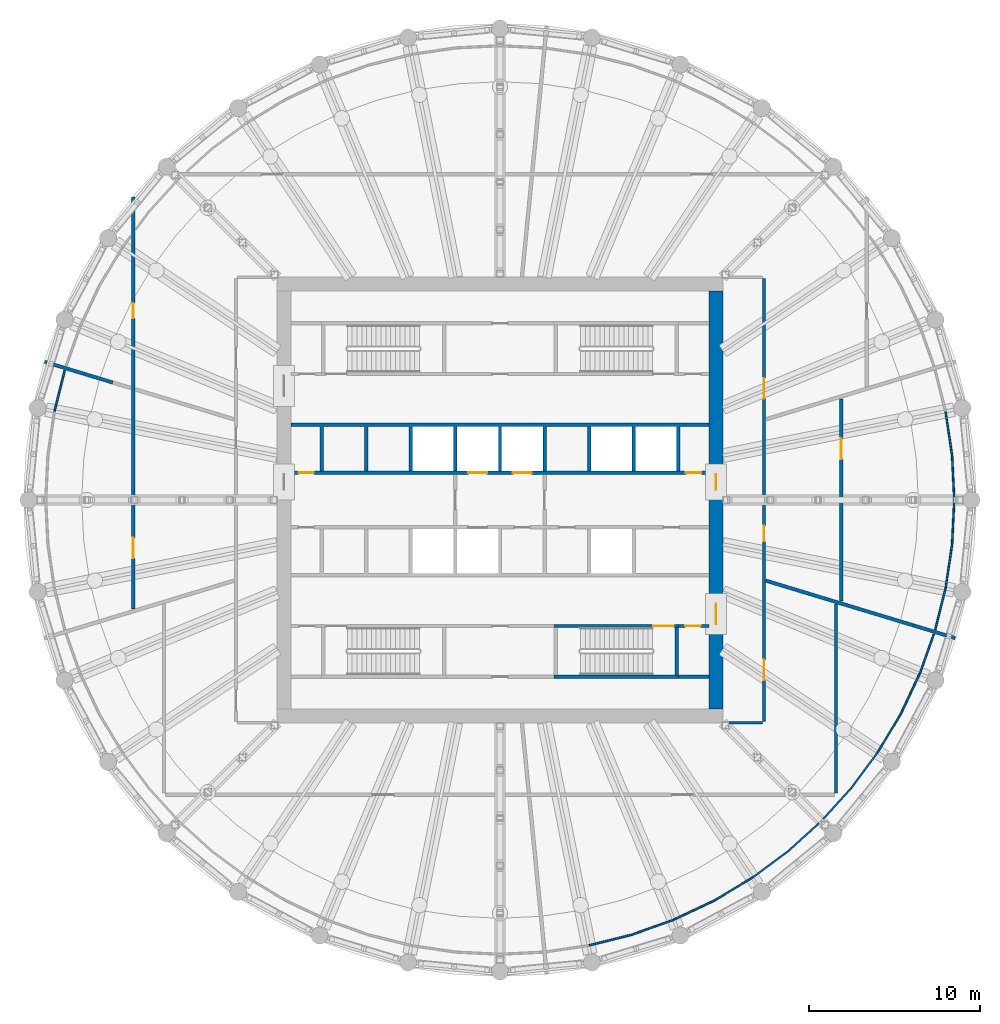
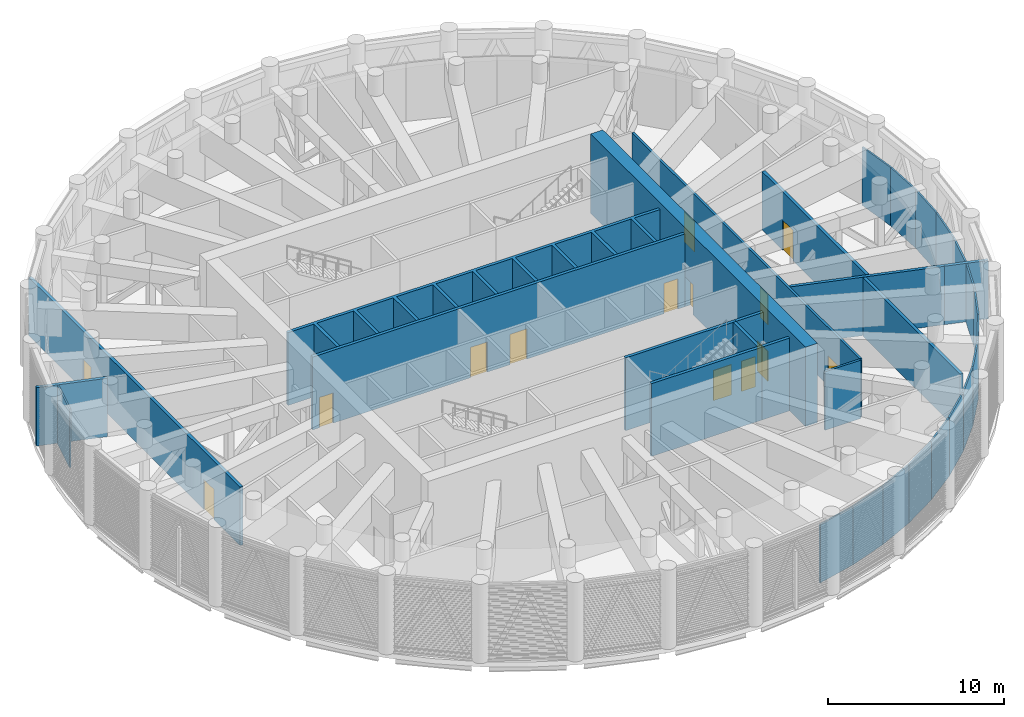
# One storey, part 10 of 24: 33 walls, 14 doors, 14 openings.
"""IFC4 building model written with IfcOpenShell, lengths in metres."""

from ifc_helpers import new_model, si_unit, direction, frame, frame_2d, origin, place, context, subcontext, project, spatial, polyline, rectangle, outline, extrude, material, layer, layer_set, type_object, element, fill, save


model = new_model("IFC4")

# Units and contexts
model_context = context("Model", 3, precision=1e-05, world=origin(), true_north=direction((0.0, 1.0)))
body_context = subcontext(model_context, "Body", "Model", "MODEL_VIEW")
ifc_project = project(units=[si_unit("LENGTHUNIT", "METRE"), si_unit("AREAUNIT", "SQUARE_METRE"), si_unit("VOLUMEUNIT", "CUBIC_METRE"), si_unit("PLANEANGLEUNIT", "RADIAN"), si_unit("MASSUNIT", "GRAM", prefix="KILO")], contexts=[model_context])

# Site, building, storey
site_placement = place(None, origin())
site = spatial("IfcSite", under=ifc_project, at=site_placement, CompositionType="ELEMENT")
building_placement = place(site_placement, origin())
building = spatial("IfcBuilding", under=site, at=building_placement, Name="Corvane Civic Tower", CompositionType="ELEMENT")
storey_placement = place(building_placement, frame((0.0, 0.0, 257.5)))
storey = spatial("IfcBuildingStorey", under=building, at=storey_placement, Name="L61", CompositionType="ELEMENT", Elevation=257.5)

# Wall, openings, doors
ifc_material_1 = material(Name="Concrete C50/60", Category="concrete")
ifc_layer_1 = layer(ifc_material_1, 0.800048828125)
ifc_layer_set_1 = layer_set([ifc_layer_1], Name="Concrete C50/60")
wall_type_1 = type_object("IfcWallType", Name="CORE WALL 800 C50/60", PredefinedType="SHEAR", material=ifc_layer_set_1)
wall_1_placement = place(storey_placement, frame((12.60009765625, -12.199951171875, 0.0), z_axis=(0.0, 0.0, 1.0), x_axis=(0.0, 1.0, 0.0)))
wall_1 = element("IfcWall", 1, at=wall_1_placement, inside=storey, type_object=wall_type_1, Name="W-L61-core-E", PredefinedType="SHEAR", context=body_context, shape_type="SweptSolid", body=[
    extrude(rectangle(XDim=24.39990234375, YDim=0.800048828125, at=frame_2d((12.199951171875, 0.0))), origin(), (0.0, 0.0, 1.0), 5.5),
])
opening_1_placement = place(wall_1_placement, frame((12.800048828125, 0.0, 0.0)))
opening_1 = element("IfcOpeningElement", 2, at=opening_1_placement, cuts=wall_1, Name="Opening L61.C22", PredefinedType="OPENING", context=body_context, shape_type="SweptSolid", body=[
    extrude(rectangle(XDim=0.89990234375, YDim=2.10009765625, at=frame_2d((0.449951171875, 1.050048828125))), frame((0.0, 0.409912109375, 0.0), z_axis=(0.0, -1.0, 0.0), x_axis=(1.0, 0.0, 0.0)), (0.0, 0.0, 1.0), 0.820068359375),
])
opening_2_placement = place(wall_1_placement, frame((4.949951171875, 0.0, 0.0)))
opening_2 = element("IfcOpeningElement", 3, at=opening_2_placement, cuts=wall_1, Name="Opening L61.C24", PredefinedType="OPENING", context=body_context, shape_type="SweptSolid", body=[
    extrude(rectangle(XDim=1.199951171875, YDim=2.10009765625, at=frame_2d((0.60009765625, 1.050048828125))), frame((0.0, 0.409912109375, 0.0), z_axis=(0.0, -1.0, 0.0), x_axis=(1.0, 0.0, 0.0)), (0.0, 0.0, 1.0), 0.820068359375),
])
ifc_material_2 = material(Name="Steel fire door leaf", Category="steel")
door_type_1 = type_object("IfcDoorType", Name="CR-DOOR-900", OperationType="SINGLE_SWING_LEFT", PredefinedType="DOOR", material=ifc_material_2)
door_1_placement = place(opening_1_placement, origin())
door_1 = element("IfcDoor", 4, at=door_1_placement, inside=storey, type_object=door_type_1, Name="L61 door", OperationType="SINGLE_SWING_LEFT", OverallHeight=2.10009765625, OverallWidth=0.89990234375, PredefinedType="DOOR", context=body_context, shape_type="SweptSolid", body=[
    extrude(rectangle(XDim=0.89990234375, YDim=2.10009765625, at=frame_2d((0.449951171875, 1.050048828125))), frame((0.0, 0.02490234375, 0.0), z_axis=(0.0, -1.0, 0.0), x_axis=(1.0, 0.0, 0.0)), (0.0, 0.0, 1.0), 0.050048828125),
])
fill(opening_1, door_1)
ifc_material_3 = material(Name="Steel fire door leaf", Category="steel")
door_type_2 = type_object("IfcDoorType", Name="CR-DOOR-CORE-1800", OperationType="DOUBLE_DOOR_SINGLE_SWING", PredefinedType="DOOR", material=ifc_material_3)
door_2_placement = place(opening_2_placement, origin())
door_2 = element("IfcDoor", 5, at=door_2_placement, inside=storey, type_object=door_type_2, Name="L61 door", OperationType="DOUBLE_DOOR_SINGLE_SWING", OverallHeight=2.10009765625, OverallWidth=1.199951171875, PredefinedType="DOOR", context=body_context, shape_type="SweptSolid", body=[
    extrude(rectangle(XDim=1.199951171875, YDim=2.10009765625, at=frame_2d((0.60009765625, 1.050048828125))), frame((0.0, 0.02490234375, 0.0), z_axis=(0.0, -1.0, 0.0), x_axis=(1.0, 0.0, 0.0)), (0.0, 0.0, 1.0), 0.050048828125),
])
fill(opening_2, door_2)

# Wall, opening, door
ifc_material_4 = material(Name="Concrete C30/37", Category="concrete")
ifc_layer_2 = layer(ifc_material_4, 0.199951171875)
ifc_layer_set_2 = layer_set([ifc_layer_2], Name="Concrete C30/37")
wall_type_2 = type_object("IfcWallType", Name="CR-WALL-200", PredefinedType="PARTITIONING", material=ifc_layer_set_2)
wall_2_placement = place(storey_placement, frame((10.39990234375, -7.35009765625, 0.0), z_axis=(0.0, 0.0, 1.0), x_axis=(1.0, 0.0, 0.0)))
wall_2 = element("IfcWall", 6, at=wall_2_placement, inside=storey, type_object=wall_type_2, Name="L61 core partition wall", PredefinedType="PARTITIONING", context=body_context, shape_type="SweptSolid", body=[
    extrude(rectangle(XDim=1.800048828125, YDim=0.199951171875, at=frame_2d((0.89990234375, 0.0))), origin(), (0.0, 0.0, 1.0), 5.050048828125),
])
opening_3_placement = place(wall_2_placement, frame((0.39990234375, 0.0, 0.0)))
opening_3 = element("IfcOpeningElement", 7, at=opening_3_placement, cuts=wall_2, Name="Opening L61.C14", PredefinedType="OPENING", context=body_context, shape_type="SweptSolid", body=[
    extrude(rectangle(XDim=0.89990234375, YDim=2.10009765625, at=frame_2d((0.449951171875, 1.050048828125))), frame((0.0, 0.10986328125, 0.0), z_axis=(0.0, -1.0, 0.0), x_axis=(1.0, 0.0, 0.0)), (0.0, 0.0, 1.0), 0.219970703125),
])
door_3_placement = place(opening_3_placement, origin())
door_3 = element("IfcDoor", 8, at=door_3_placement, inside=storey, type_object=door_type_1, Name="L61 door", OperationType="SINGLE_SWING_LEFT", OverallHeight=2.10009765625, OverallWidth=0.89990234375, PredefinedType="DOOR", context=body_context, shape_type="SweptSolid", body=[
    extrude(rectangle(XDim=0.89990234375, YDim=2.10009765625, at=frame_2d((0.449951171875, 1.050048828125))), frame((0.0, 0.02490234375, 0.0), z_axis=(0.0, -1.0, 0.0), x_axis=(1.0, 0.0, 0.0)), (0.0, 0.0, 1.0), 0.050048828125),
])
fill(opening_3, door_3)

# Wall, openings, doors
wall_3_placement = place(storey_placement, frame((-12.199951171875, 1.60009765625, 0.0), z_axis=(0.0, 0.0, 1.0), x_axis=(1.0, 0.0, 0.0)))
wall_3 = element("IfcWall", 9, at=wall_3_placement, inside=storey, type_object=wall_type_2, Name="L61 lift shaft wall", PredefinedType="PARTITIONING", context=body_context, shape_type="SweptSolid", body=[
    extrude(rectangle(XDim=24.39990234375, YDim=0.199951171875, at=frame_2d((12.199951171875, 0.0))), origin(), (0.0, 0.0, 1.0), 5.050048828125),
])
opening_4_placement = place(wall_3_placement, frame((10.35009765625, 0.0, 0.0)))
opening_4 = element("IfcOpeningElement", 10, at=opening_4_placement, cuts=wall_3, Name="Opening LD", PredefinedType="OPENING", context=body_context, shape_type="SweptSolid", body=[
    extrude(rectangle(XDim=1.10009765625, YDim=2.10009765625, at=frame_2d((0.550048828125, 1.050048828125))), frame((0.0, 0.10986328125, 0.0), z_axis=(0.0, -1.0, 0.0), x_axis=(1.0, 0.0, 0.0)), (0.0, 0.0, 1.0), 0.219970703125),
])
opening_5_placement = place(wall_3_placement, frame((12.949951171875, 0.0, 0.0)))
opening_5 = element("IfcOpeningElement", 11, at=opening_5_placement, cuts=wall_3, Name="Opening LD", PredefinedType="OPENING", context=body_context, shape_type="SweptSolid", body=[
    extrude(rectangle(XDim=1.10009765625, YDim=2.10009765625, at=frame_2d((0.550048828125, 1.050048828125))), frame((0.0, 0.10986328125, 0.0), z_axis=(0.0, -1.0, 0.0), x_axis=(1.0, 0.0, 0.0)), (0.0, 0.0, 1.0), 0.219970703125),
])
opening_6_placement = place(wall_3_placement, frame((0.449951171875, 0.0, 0.0)))
opening_6 = element("IfcOpeningElement", 12, at=opening_6_placement, cuts=wall_3, Name="Opening L61.C01", PredefinedType="OPENING", context=body_context, shape_type="SweptSolid", body=[
    extrude(rectangle(XDim=0.89990234375, YDim=2.10009765625, at=frame_2d((0.449951171875, 1.050048828125))), frame((0.0, 0.10986328125, 0.0), z_axis=(0.0, -1.0, 0.0), x_axis=(1.0, 0.0, 0.0)), (0.0, 0.0, 1.0), 0.219970703125),
])
opening_7_placement = place(wall_3_placement, frame((23.050048828125, 0.0, 0.0)))
opening_7 = element("IfcOpeningElement", 13, at=opening_7_placement, cuts=wall_3, Name="Opening L61.C02", PredefinedType="OPENING", context=body_context, shape_type="SweptSolid", body=[
    extrude(rectangle(XDim=0.89990234375, YDim=2.10009765625, at=frame_2d((0.449951171875, 1.050048828125))), frame((0.0, 0.10986328125, 0.0), z_axis=(0.0, -1.0, 0.0), x_axis=(1.0, 0.0, 0.0)), (0.0, 0.0, 1.0), 0.219970703125),
])
door_4_placement = place(opening_6_placement, origin())
door_4 = element("IfcDoor", 14, at=door_4_placement, inside=storey, type_object=door_type_1, Name="L61 door", OperationType="SINGLE_SWING_LEFT", OverallHeight=2.10009765625, OverallWidth=0.89990234375, PredefinedType="DOOR", context=body_context, shape_type="SweptSolid", body=[
    extrude(rectangle(XDim=0.89990234375, YDim=2.10009765625, at=frame_2d((0.449951171875, 1.050048828125))), frame((0.0, 0.02490234375, 0.0), z_axis=(0.0, -1.0, 0.0), x_axis=(1.0, 0.0, 0.0)), (0.0, 0.0, 1.0), 0.050048828125),
])
fill(opening_6, door_4)
door_5_placement = place(opening_7_placement, origin())
door_5 = element("IfcDoor", 15, at=door_5_placement, inside=storey, type_object=door_type_1, Name="L61 door", OperationType="SINGLE_SWING_LEFT", OverallHeight=2.10009765625, OverallWidth=0.89990234375, PredefinedType="DOOR", context=body_context, shape_type="SweptSolid", body=[
    extrude(rectangle(XDim=0.89990234375, YDim=2.10009765625, at=frame_2d((0.449951171875, 1.050048828125))), frame((0.0, 0.02490234375, 0.0), z_axis=(0.0, -1.0, 0.0), x_axis=(1.0, 0.0, 0.0)), (0.0, 0.0, 1.0), 0.050048828125),
])
fill(opening_7, door_5)
ifc_material_5 = material(Name="Stainless steel 316 door leaves", Category="steel")
door_type_3 = type_object("IfcDoorType", Name="LD", OperationType="DOUBLE_DOOR_SLIDING", PredefinedType="DOOR", material=ifc_material_5)
door_6_placement = place(opening_4_placement, origin())
door_6 = element("IfcDoor", 16, at=door_6_placement, inside=storey, type_object=door_type_3, Name="L61 landing door", OperationType="DOUBLE_DOOR_SLIDING", OverallHeight=2.10009765625, OverallWidth=1.10009765625, PredefinedType="DOOR", context=body_context, shape_type="SweptSolid", body=[
    extrude(rectangle(XDim=1.10009765625, YDim=2.10009765625, at=frame_2d((0.550048828125, 1.050048828125))), frame((0.0, 0.02490234375, 0.0), z_axis=(0.0, -1.0, 0.0), x_axis=(1.0, 0.0, 0.0)), (0.0, 0.0, 1.0), 0.050048828125),
])
fill(opening_4, door_6)
door_7_placement = place(opening_5_placement, origin())
door_7 = element("IfcDoor", 17, at=door_7_placement, inside=storey, type_object=door_type_3, Name="L61 landing door", OperationType="DOUBLE_DOOR_SLIDING", OverallHeight=2.10009765625, OverallWidth=1.10009765625, PredefinedType="DOOR", context=body_context, shape_type="SweptSolid", body=[
    extrude(rectangle(XDim=1.10009765625, YDim=2.10009765625, at=frame_2d((0.550048828125, 1.050048828125))), frame((0.0, 0.02490234375, 0.0), z_axis=(0.0, -1.0, 0.0), x_axis=(1.0, 0.0, 0.0)), (0.0, 0.0, 1.0), 0.050048828125),
])
fill(opening_5, door_7)

# Walls
wall_4_placement = place(storey_placement, origin())
element("IfcWall", 18, at=wall_4_placement, inside=storey, type_object=wall_type_2, Name="L61 core partition wall", PredefinedType="PARTITIONING", context=body_context, shape_type="SweptSolid", body=[
    extrude(outline(polyline([(-7.699951171875, 4.300048828125), (-7.699951171875, 1.699951171875), (-7.89990234375, 1.699951171875), (-7.89990234375, 4.300048828125), (-10.300048828125, 4.300048828125), (-10.300048828125, 1.699951171875), (-10.5, 1.699951171875), (-10.5, 4.300048828125), (-12.199951171875, 4.300048828125), (-12.199951171875, 4.5), (12.199951171875, 4.5), (12.199951171875, 4.300048828125), (10.5, 4.300048828125), (10.5, 1.699951171875), (10.300048828125, 1.699951171875), (10.300048828125, 4.300048828125), (7.89990234375, 4.300048828125), (7.89990234375, 1.699951171875), (7.699951171875, 1.699951171875), (7.699951171875, 4.300048828125), (5.300048828125, 4.300048828125), (5.300048828125, 1.699951171875), (5.10009765625, 1.699951171875), (5.10009765625, 4.300048828125), (2.699951171875, 4.300048828125), (2.699951171875, 1.699951171875), (2.5, 1.699951171875), (2.5, 4.300048828125), (0.10009765625, 4.300048828125), (0.10009765625, 1.699951171875), (-0.10009765625, 1.699951171875), (-0.10009765625, 4.300048828125), (-2.5, 4.300048828125), (-2.5, 1.699951171875), (-2.699951171875, 1.699951171875), (-2.699951171875, 4.300048828125), (-5.10009765625, 4.300048828125), (-5.10009765625, 1.699951171875), (-5.300048828125, 1.699951171875), (-5.300048828125, 4.300048828125), (-7.699951171875, 4.300048828125)])), origin(), (0.0, 0.0, 1.0), 5.050048828125),
])
wall_5_placement = place(storey_placement, origin())
element("IfcWall", 19, at=wall_5_placement, inside=storey, type_object=wall_type_2, Name="L61 core partition wall", PredefinedType="PARTITIONING", context=body_context, shape_type="SweptSolid", body=[
    extrude(outline(polyline([(12.199951171875, -10.39990234375), (10.39990234375, -10.39990234375), (10.39990234375, -10.199951171875), (12.199951171875, -10.199951171875), (12.199951171875, -10.39990234375)])), origin(), (0.0, 0.0, 1.0), 5.050048828125),
])
ifc_material_6 = material(Name="Plasterboard")
ifc_layer_3 = layer(ifc_material_6, 0.10009765625)
ifc_layer_set_3 = layer_set([ifc_layer_3], Name="Plasterboard")
wall_type_3 = type_object("IfcWallType", Name="Partition 100 plasterboard on studs", PredefinedType="PARTITIONING", material=ifc_layer_set_3)
wall_6_placement = place(storey_placement, frame((26.37109375, 2.597412109375, 0.0), z_axis=(0.0, 0.0, 1.0), x_axis=(0.049099464849, -0.99879389393, 0.0)))
element("IfcWall", 20, at=wall_6_placement, inside=storey, type_object=wall_type_3, Name="Partition L61.026", PredefinedType="PARTITIONING", context=body_context, shape_type="SweptSolid", body=[
    extrude(rectangle(XDim=2.6005859375, YDim=0.10009765625, at=frame_2d((1.30029296875, 0.0))), origin(), (0.0, 0.0, 1.0), 4.050048828125),
])
for number, where, z_axis, x_axis, name in (
    (21, (25.98974609375, 5.169677734375, 0.0), (0.0, 0.0, 1.0), (0.146650738266, -0.989188334427, 0.0), "Partition L61.028"),
    (22, (5.169677734375, -25.98974609375, 0.0), (0.0, 0.0, 1.0), (0.970031945218, 0.242977417172, 0.0), "Partition L61.062"),
):
    element("IfcWall", number, at=place(storey_placement, frame(where, z_axis=z_axis, x_axis=x_axis)), inside=storey, type_object=wall_type_3, Name=name, PredefinedType="PARTITIONING", context=body_context, shape_type="SweptSolid", body=[
        extrude(rectangle(XDim=2.600341796875, YDim=0.10009765625, at=frame_2d((1.30029296875, 0.0))), origin(), (0.0, 0.0, 1.0), 4.050048828125),
    ])
for number, where, z_axis, x_axis, name in (
    (23, (7.692138671875, -25.35791015625, 0.0), (0.0, 0.0, 1.0), (0.941527196798, 0.336936993649, 0.0), "Partition L61.064"),
    (24, (10.140625, -24.481689453125, 0.0), (0.0, 0.0, 1.0), (0.903959458652, 0.427618167427, 0.0), "Partition L61.066"),
):
    element("IfcWall", number, at=place(storey_placement, frame(where, z_axis=z_axis, x_axis=x_axis)), inside=storey, type_object=wall_type_3, Name=name, PredefinedType="PARTITIONING", context=body_context, shape_type="SweptSolid", body=[
        extrude(rectangle(XDim=2.6005859375, YDim=0.10009765625, at=frame_2d((1.30029296875, 0.0))), origin(), (0.0, 0.0, 1.0), 4.050048828125),
    ])
for number, where, z_axis, x_axis, name in (
    (25, (12.491455078125, -23.36962890625, 0.0), (0.0, 0.0, 1.0), (0.857766186151, 0.514040046977, 0.0), "Partition L61.068"),
    (26, (14.721923828125, -22.032958984375, 0.0), (0.0, 0.0, 1.0), (0.80319946448, 0.595710181429, 0.0), "Partition L61.070"),
):
    element("IfcWall", number, at=place(storey_placement, frame(where, z_axis=z_axis, x_axis=x_axis)), inside=storey, type_object=wall_type_3, Name=name, PredefinedType="PARTITIONING", context=body_context, shape_type="SweptSolid", body=[
        extrude(rectangle(XDim=2.600341796875, YDim=0.10009765625, at=frame_2d((1.30029296875, 0.0))), origin(), (0.0, 0.0, 1.0), 4.050048828125),
    ])
for number, where, z_axis, x_axis, name in (
    (27, (16.810546875, -20.48388671875, 0.0), (0.0, 0.0, 1.0), (0.740899357548, 0.671616067397, 0.0), "Partition L61.072"),
    (28, (18.7373046875, -18.7373046875, 0.0), (0.0, 0.0, 1.0), (0.671616067397, 0.740899357548, 0.0), "Partition L61.074"),
):
    element("IfcWall", number, at=place(storey_placement, frame(where, z_axis=z_axis, x_axis=x_axis)), inside=storey, type_object=wall_type_3, Name=name, PredefinedType="PARTITIONING", context=body_context, shape_type="SweptSolid", body=[
        extrude(rectangle(XDim=2.6005859375, YDim=0.10009765625, at=frame_2d((1.30029296875, 0.0))), origin(), (0.0, 0.0, 1.0), 4.050048828125),
    ])
for number, where, z_axis, x_axis, name in (
    (29, (20.48388671875, -16.810546875, 0.0), (0.0, 0.0, 1.0), (0.595710181429, 0.80319946448, 0.0), "Partition L61.077"),
    (30, (22.032958984375, -14.721923828125, 0.0), (0.0, 0.0, 1.0), (0.514040046977, 0.857766186151, 0.0), "Partition L61.079"),
):
    element("IfcWall", number, at=place(storey_placement, frame(where, z_axis=z_axis, x_axis=x_axis)), inside=storey, type_object=wall_type_3, Name=name, PredefinedType="PARTITIONING", context=body_context, shape_type="SweptSolid", body=[
        extrude(rectangle(XDim=2.600341796875, YDim=0.10009765625, at=frame_2d((1.30029296875, 0.0))), origin(), (0.0, 0.0, 1.0), 4.050048828125),
    ])
wall_7_placement = place(storey_placement, frame((23.36962890625, -12.491455078125, 0.0), z_axis=(0.0, 0.0, 1.0), x_axis=(0.427618167427, 0.903959458652, 0.0)))
element("IfcWall", 31, at=wall_7_placement, inside=storey, type_object=wall_type_3, Name="Partition L61.081", PredefinedType="PARTITIONING", context=body_context, shape_type="SweptSolid", body=[
    extrude(rectangle(XDim=2.6005859375, YDim=0.10009765625, at=frame_2d((1.30029296875, 0.0))), origin(), (0.0, 0.0, 1.0), 4.050048828125),
])
for number, where, z_axis, x_axis, name in (
    (32, (24.481689453125, -10.140625, 0.0), (0.0, 0.0, 1.0), (0.336902109308, 0.941539679856, 0.0), "Partition L61.083"),
    (33, (25.391845703125, -7.55615234375, 0.0), (0.0, 0.0, 1.0), (0.243025930525, 0.970019792114, 0.0), "Partition L61.085"),
    (34, (-25.98974609375, 5.169677734375, 0.0), (0.0, 0.0, 1.0), (0.243025930525, 0.970019792114, 0.0), "Partition L61.086"),
):
    element("IfcWall", number, at=place(storey_placement, frame(where, z_axis=z_axis, x_axis=x_axis)), inside=storey, type_object=wall_type_3, Name=name, PredefinedType="PARTITIONING", context=body_context, shape_type="SweptSolid", body=[
        extrude(rectangle(XDim=2.460205078125, YDim=0.10009765625, at=frame_2d((1.22998046875, 0.0))), origin(), (0.0, 0.0, 1.0), 4.050048828125),
    ])
wall_8_placement = place(storey_placement, frame((25.98974609375, -5.169677734375, 0.0), z_axis=(0.0, 0.0, 1.0), x_axis=(0.146650738266, 0.989188334427, 0.0)))
element("IfcWall", 35, at=wall_8_placement, inside=storey, type_object=wall_type_3, Name="Partition L61.087", PredefinedType="PARTITIONING", context=body_context, shape_type="SweptSolid", body=[
    extrude(rectangle(XDim=2.600341796875, YDim=0.10009765625, at=frame_2d((1.30029296875, 0.0))), origin(), (0.0, 0.0, 1.0), 4.050048828125),
])
wall_9_placement = place(storey_placement, frame((26.37109375, -2.597412109375, 0.0), z_axis=(0.0, 0.0, 1.0), x_axis=(0.049099464849, 0.99879389393, 0.0)))
element("IfcWall", 36, at=wall_9_placement, inside=storey, type_object=wall_type_3, Name="Partition L61.089", PredefinedType="PARTITIONING", context=body_context, shape_type="SweptSolid", body=[
    extrude(rectangle(XDim=2.6005859375, YDim=0.10009765625, at=frame_2d((1.30029296875, 0.0))), origin(), (0.0, 0.0, 1.0), 4.050048828125),
])
ifc_material_7 = material(Name="Gypsum fibreboard")
ifc_layer_4 = layer(ifc_material_7, 0.199951171875)
ifc_layer_set_4 = layer_set([ifc_layer_4], Name="Gypsum fibreboard")
wall_type_4 = type_object("IfcWallType", Name="Plant and refuge wall 200 EI 120", PredefinedType="PARTITIONING", material=ifc_layer_set_4)
wall_10_placement = place(storey_placement, frame((19.60009765625, -17.10009765625, 0.0), z_axis=(0.0, 0.0, 1.0), x_axis=(0.0, 1.0, 0.0)))
element("IfcWall", 37, at=wall_10_placement, inside=storey, type_object=wall_type_4, Name="Partition L61.005", PredefinedType="PARTITIONING", context=body_context, shape_type="SweptSolid", body=[
    extrude(rectangle(XDim=11.019775390625, YDim=0.199951171875, at=frame_2d((5.509765625, 0.0))), origin(), (0.0, 0.0, 1.0), 4.050048828125),
])
wall_11_placement = place(storey_placement, frame((24.120361328125, -7.31689453125, 0.0), z_axis=(0.0, 0.0, 1.0), x_axis=(0.95695578786, -0.290233733535, 0.0)))
element("IfcWall", 38, at=wall_11_placement, inside=storey, type_object=wall_type_4, Name="Partition L61.011", PredefinedType="PARTITIONING", context=body_context, shape_type="SweptSolid", body=[
    extrude(rectangle(XDim=2.544677734375, YDim=0.199951171875, at=frame_2d((1.2724609375, 0.0))), origin(), (0.0, 0.0, 1.0), 4.050048828125),
])
wall_12_placement = place(storey_placement, frame((15.50390625, -4.703125, 0.0), z_axis=(0.0, 0.0, 1.0), x_axis=(0.956940444979, -0.290284317115, 0.0)))
element("IfcWall", 39, at=wall_12_placement, inside=storey, type_object=wall_type_4, Name="Partition L61.012", PredefinedType="PARTITIONING", context=body_context, shape_type="SweptSolid", body=[
    extrude(rectangle(XDim=9.004150390625, YDim=0.199951171875, at=frame_2d((4.501953125, 0.0))), origin(), (0.0, 0.0, 1.0), 4.050048828125),
])

# Wall, openings, doors
wall_13_placement = place(storey_placement, frame((-21.39990234375, -6.356689453125, 0.0), z_axis=(0.0, 0.0, 1.0), x_axis=(0.0, 1.0, 0.0)))
wall_13 = element("IfcWall", 40, at=wall_13_placement, inside=storey, type_object=wall_type_4, Name="Partition L61.013", PredefinedType="PARTITIONING", context=body_context, shape_type="SweptSolid", body=[
    extrude(rectangle(XDim=24.017578125, YDim=0.199951171875, at=frame_2d((12.0087890625, 0.0))), origin(), (0.0, 0.0, 1.0), 4.050048828125),
])
opening_8_placement = place(wall_13_placement, frame((16.94775390625, 0.0, 0.0)))
opening_8 = element("IfcOpeningElement", 41, at=opening_8_placement, cuts=wall_13, Name="Opening L61.001", PredefinedType="OPENING", context=body_context, shape_type="SweptSolid", body=[
    extrude(rectangle(XDim=0.89990234375, YDim=2.10009765625, at=frame_2d((0.449951171875, 1.050048828125))), frame((0.0, 0.10986328125, 0.0), z_axis=(0.0, -1.0, 0.0), x_axis=(1.0, 0.0, 0.0)), (0.0, 0.0, 1.0), 0.219970703125),
])
opening_9_placement = place(wall_13_placement, frame((2.94970703125, 0.0, 0.0)))
opening_9 = element("IfcOpeningElement", 42, at=opening_9_placement, cuts=wall_13, Name="Opening L61.013", PredefinedType="OPENING", context=body_context, shape_type="SweptSolid", body=[
    extrude(rectangle(XDim=1.199951171875, YDim=2.10009765625, at=frame_2d((0.60009765625, 1.050048828125))), frame((0.0, 0.10986328125, 0.0), z_axis=(0.0, -1.0, 0.0), x_axis=(1.0, 0.0, 0.0)), (0.0, 0.0, 1.0), 0.219970703125),
])
ifc_material_8 = material(Name="Steel and timber", Category="steel")
door_type_4 = type_object("IfcDoorType", Name="Fire door FD30S 900", OperationType="NOTDEFINED", PredefinedType="DOOR", material=ifc_material_8)
door_8_placement = place(opening_8_placement, origin())
door_8 = element("IfcDoor", 43, at=door_8_placement, inside=storey, type_object=door_type_4, Name="Door L61.001", OperationType="SINGLE_SWING_LEFT", OverallHeight=2.10009765625, OverallWidth=0.89990234375, PredefinedType="DOOR", context=body_context, shape_type="SweptSolid", body=[
    extrude(rectangle(XDim=0.89990234375, YDim=2.10009765625, at=frame_2d((0.449951171875, 1.050048828125))), frame((0.0, 0.02490234375, 0.0), z_axis=(0.0, -1.0, 0.0), x_axis=(1.0, 0.0, 0.0)), (0.0, 0.0, 1.0), 0.050048828125),
])
fill(opening_8, door_8)
ifc_material_9 = material(Name="Steel and timber", Category="steel")
door_type_5 = type_object("IfcDoorType", Name="Fire door FD60 1200", OperationType="NOTDEFINED", PredefinedType="DOOR", material=ifc_material_9)
door_9_placement = place(opening_9_placement, origin())
door_9 = element("IfcDoor", 44, at=door_9_placement, inside=storey, type_object=door_type_5, Name="Door L61.013", OperationType="SINGLE_SWING_LEFT", OverallHeight=2.10009765625, OverallWidth=1.199951171875, PredefinedType="DOOR", context=body_context, shape_type="SweptSolid", body=[
    extrude(rectangle(XDim=1.199951171875, YDim=2.10009765625, at=frame_2d((0.60009765625, 1.050048828125))), frame((0.0, 0.02490234375, 0.0), z_axis=(0.0, -1.0, 0.0), x_axis=(1.0, 0.0, 0.0)), (0.0, 0.0, 1.0), 0.050048828125),
])
fill(opening_9, door_9)

# Wall, opening, door
wall_14_placement = place(storey_placement, frame((19.89990234375, -5.90185546875, 0.0), z_axis=(0.0, 0.0, 1.0), x_axis=(0.0, 1.0, 0.0)))
wall_14 = element("IfcWall", 45, at=wall_14_placement, inside=storey, type_object=wall_type_4, Name="Partition L61.014", PredefinedType="PARTITIONING", context=body_context, shape_type="SweptSolid", body=[
    extrude(rectangle(XDim=11.8037109375, YDim=0.199951171875, at=frame_2d((5.90185546875, 0.0))), origin(), (0.0, 0.0, 1.0), 4.050048828125),
])
opening_10_placement = place(wall_14_placement, frame((8.291259765625, 0.0, 0.0)))
opening_10 = element("IfcOpeningElement", 46, at=opening_10_placement, cuts=wall_14, Name="Opening L61.011", PredefinedType="OPENING", context=body_context, shape_type="SweptSolid", body=[
    extrude(rectangle(XDim=1.199951171875, YDim=2.10009765625, at=frame_2d((0.60009765625, 1.050048828125))), frame((0.0, 0.10986328125, 0.0), z_axis=(0.0, -1.0, 0.0), x_axis=(1.0, 0.0, 0.0)), (0.0, 0.0, 1.0), 0.219970703125),
])
door_10_placement = place(opening_10_placement, frame((1.199951171875, 0.0, 0.0), z_axis=(0.0, 0.0, 1.0), x_axis=(-1.0, 0.0, 0.0)))
door_10 = element("IfcDoor", 47, at=door_10_placement, inside=storey, type_object=door_type_5, Name="Door L61.011", OperationType="SINGLE_SWING_RIGHT", OverallHeight=2.10009765625, OverallWidth=1.199951171875, PredefinedType="DOOR", context=body_context, shape_type="SweptSolid", body=[
    extrude(rectangle(XDim=1.199951171875, YDim=2.10009765625, at=frame_2d((0.60009765625, 1.050048828125))), frame((0.0, 0.02490234375, 0.0), z_axis=(0.0, -1.0, 0.0), x_axis=(1.0, 0.0, 0.0)), (0.0, 0.0, 1.0), 0.050048828125),
])
fill(opening_10, door_10)

# Wall
wall_15_placement = place(storey_placement, frame((-26.555419921875, 8.055419921875, 0.0), z_axis=(0.0, 0.0, 1.0), x_axis=(0.956939629275, -0.290287006122, 0.0)))
element("IfcWall", 48, at=wall_15_placement, inside=storey, type_object=wall_type_4, Name="Partition L61.019", PredefinedType="PARTITIONING", context=body_context, shape_type="SweptSolid", body=[
    extrude(rectangle(XDim=4.143798828125, YDim=0.199951171875, at=frame_2d((2.07177734375, 0.0))), origin(), (0.0, 0.0, 1.0), 4.050048828125),
])

# Wall, opening, door
ifc_material_10 = material(Name="Concrete C50/60", Category="concrete")
ifc_layer_5 = layer(ifc_material_10, 0.199951171875)
ifc_layer_set_5 = layer_set([ifc_layer_5], Name="Concrete C50/60")
wall_type_5 = type_object("IfcWallType", Name="ST-WALL-200", PredefinedType="SHEAR", material=ifc_layer_set_5)
wall_16_placement = place(storey_placement, frame((3.14990234375, -7.35009765625, 0.0), z_axis=(0.0, 0.0, 1.0), x_axis=(1.0, 0.0, 0.0)))
wall_16 = element("IfcWall", 49, at=wall_16_placement, inside=storey, type_object=wall_type_5, Name="L61 stair enclosure wall", PredefinedType="SHEAR", context=body_context, shape_type="SweptSolid", body=[
    extrude(rectangle(XDim=7.25, YDim=0.199951171875, at=frame_2d((3.625, 0.0))), origin(), (0.0, 0.0, 1.0), 5.050048828125),
])
opening_11_placement = place(wall_16_placement, frame((5.800048828125, 0.0, 0.0)))
opening_11 = element("IfcOpeningElement", 50, at=opening_11_placement, cuts=wall_16, Name="Opening L61.C17", PredefinedType="OPENING", context=body_context, shape_type="SweptSolid", body=[
    extrude(rectangle(XDim=1.199951171875, YDim=2.10009765625, at=frame_2d((0.60009765625, 1.050048828125))), frame((0.0, 0.10986328125, 0.0), z_axis=(0.0, -1.0, 0.0), x_axis=(1.0, 0.0, 0.0)), (0.0, 0.0, 1.0), 0.219970703125),
])
ifc_material_11 = material(Name="Steel fire door leaf", Category="steel")
door_type_6 = type_object("IfcDoorType", Name="ST-DOOR-1200", OperationType="SINGLE_SWING_RIGHT", PredefinedType="DOOR", material=ifc_material_11)
door_11_placement = place(opening_11_placement, origin())
door_11 = element("IfcDoor", 51, at=door_11_placement, inside=storey, type_object=door_type_6, Name="L61 stair door", OperationType="SINGLE_SWING_RIGHT", OverallHeight=2.10009765625, OverallWidth=1.199951171875, PredefinedType="DOOR", context=body_context, shape_type="SweptSolid", body=[
    extrude(rectangle(XDim=1.199951171875, YDim=2.10009765625, at=frame_2d((0.60009765625, 1.050048828125))), frame((0.0, 0.02490234375, 0.0), z_axis=(0.0, -1.0, 0.0), x_axis=(1.0, 0.0, 0.0)), (0.0, 0.0, 1.0), 0.050048828125),
])
fill(opening_11, door_11)

# Walls
wall_17_placement = place(storey_placement, origin())
element("IfcWall", 52, at=wall_17_placement, inside=storey, type_object=wall_type_5, Name="L61 stair enclosure wall", PredefinedType="SHEAR", context=body_context, shape_type="SweptSolid", body=[
    extrude(outline(polyline([(10.39990234375, -10.39990234375), (3.14990234375, -10.39990234375), (3.14990234375, -10.199951171875), (10.39990234375, -10.199951171875), (10.39990234375, -10.39990234375)])), origin(), (0.0, 0.0, 1.0), 5.050048828125),
])
wall_18_placement = place(storey_placement, origin())
element("IfcWall", 53, at=wall_18_placement, inside=storey, type_object=wall_type_5, Name="L61 stair enclosure wall", PredefinedType="SHEAR", context=body_context, shape_type="SweptSolid", body=[
    extrude(outline(polyline([(10.39990234375, -7.449951171875), (10.39990234375, -10.199951171875), (10.199951171875, -10.199951171875), (10.199951171875, -7.449951171875), (10.39990234375, -7.449951171875)])), origin(), (0.0, 0.0, 1.0), 5.050048828125),
])
ifc_material_12 = material(Name="Plasterboard")
ifc_layer_6 = layer(ifc_material_12, 0.14990234375)
ifc_layer_set_6 = layer_set([ifc_layer_6], Name="Plasterboard")
wall_type_6 = type_object("IfcWallType", Name="Tenancy wall 150 EI 60", PredefinedType="PARTITIONING", material=ifc_layer_set_6)
wall_19_placement = place(storey_placement, frame((12.989990234375, -13.0, 0.0), z_axis=(0.0, 0.0, 1.0), x_axis=(1.0, 0.0, 0.0)))
element("IfcWall", 54, at=wall_19_placement, inside=storey, type_object=wall_type_6, Name="Partition L61.007", PredefinedType="PARTITIONING", context=body_context, shape_type="SweptSolid", body=[
    extrude(rectangle(XDim=2.3349609375, YDim=0.14990234375, at=frame_2d((1.16748046875, 0.0))), origin(), (0.0, 0.0, 1.0), 4.050048828125),
])

# Wall, openings, doors
wall_20_placement = place(storey_placement, frame((15.39990234375, -12.925048828125, 0.0), z_axis=(0.0, 0.0, 1.0), x_axis=(0.0, 1.0, 0.0)))
wall_20 = element("IfcWall", 55, at=wall_20_placement, inside=storey, type_object=wall_type_6, Name="Partition L61.009", PredefinedType="PARTITIONING", context=body_context, shape_type="SweptSolid", body=[
    extrude(rectangle(XDim=25.85009765625, YDim=0.14990234375, at=frame_2d((12.925048828125, 0.0))), origin(), (0.0, 0.0, 1.0), 4.050048828125),
])
opening_12_placement = place(wall_20_placement, frame((18.84130859375, 0.0, 0.0)))
opening_12 = element("IfcOpeningElement", 56, at=opening_12_placement, cuts=wall_20, Name="Opening L61.006", PredefinedType="OPENING", context=body_context, shape_type="SweptSolid", body=[
    extrude(rectangle(XDim=1.199951171875, YDim=2.10009765625, at=frame_2d((0.60009765625, 1.050048828125))), frame((0.0, 0.0849609375, 0.0), z_axis=(0.0, -1.0, 0.0), x_axis=(1.0, 0.0, 0.0)), (0.0, 0.0, 1.0), 0.169921875),
])
opening_13_placement = place(wall_20_placement, frame((2.40234375, 0.0, 0.0)))
opening_13 = element("IfcOpeningElement", 57, at=opening_13_placement, cuts=wall_20, Name="Opening L61.009", PredefinedType="OPENING", context=body_context, shape_type="SweptSolid", body=[
    extrude(rectangle(XDim=1.199951171875, YDim=2.10009765625, at=frame_2d((0.60009765625, 1.050048828125))), frame((0.0, 0.0849609375, 0.0), z_axis=(0.0, -1.0, 0.0), x_axis=(1.0, 0.0, 0.0)), (0.0, 0.0, 1.0), 0.169921875),
])
opening_14_placement = place(wall_20_placement, frame((10.509033203125, 0.0, 0.0)))
opening_14 = element("IfcOpeningElement", 58, at=opening_14_placement, cuts=wall_20, Name="Opening L61.012", PredefinedType="OPENING", context=body_context, shape_type="SweptSolid", body=[
    extrude(rectangle(XDim=0.89990234375, YDim=2.10009765625, at=frame_2d((0.449951171875, 1.050048828125))), frame((0.0, 0.0849609375, 0.0), z_axis=(0.0, -1.0, 0.0), x_axis=(1.0, 0.0, 0.0)), (0.0, 0.0, 1.0), 0.169921875),
])
door_12_placement = place(opening_14_placement, frame((0.89990234375, 0.0, 0.0), z_axis=(0.0, 0.0, 1.0), x_axis=(-1.0, 0.0, 0.0)))
door_12 = element("IfcDoor", 59, at=door_12_placement, inside=storey, type_object=door_type_4, Name="Door L61.012", OperationType="SINGLE_SWING_LEFT", OverallHeight=2.10009765625, OverallWidth=0.89990234375, PredefinedType="DOOR", context=body_context, shape_type="SweptSolid", body=[
    extrude(rectangle(XDim=0.89990234375, YDim=2.10009765625, at=frame_2d((0.449951171875, 1.050048828125))), frame((0.0, 0.02490234375, 0.0), z_axis=(0.0, -1.0, 0.0), x_axis=(1.0, 0.0, 0.0)), (0.0, 0.0, 1.0), 0.050048828125),
])
fill(opening_14, door_12)
door_13_placement = place(opening_12_placement, frame((1.199951171875, 0.0, 0.0), z_axis=(0.0, 0.0, 1.0), x_axis=(-1.0, 0.0, 0.0)))
door_13 = element("IfcDoor", 60, at=door_13_placement, inside=storey, type_object=door_type_5, Name="Door L61.006", OperationType="SINGLE_SWING_LEFT", OverallHeight=2.10009765625, OverallWidth=1.199951171875, PredefinedType="DOOR", context=body_context, shape_type="SweptSolid", body=[
    extrude(rectangle(XDim=1.199951171875, YDim=2.10009765625, at=frame_2d((0.60009765625, 1.050048828125))), frame((0.0, 0.02490234375, 0.0), z_axis=(0.0, -1.0, 0.0), x_axis=(1.0, 0.0, 0.0)), (0.0, 0.0, 1.0), 0.050048828125),
])
fill(opening_12, door_13)
door_14_placement = place(opening_13_placement, frame((1.199951171875, 0.0, 0.0), z_axis=(0.0, 0.0, 1.0), x_axis=(-1.0, 0.0, 0.0)))
door_14 = element("IfcDoor", 61, at=door_14_placement, inside=storey, type_object=door_type_5, Name="Door L61.009", OperationType="SINGLE_SWING_LEFT", OverallHeight=2.10009765625, OverallWidth=1.199951171875, PredefinedType="DOOR", context=body_context, shape_type="SweptSolid", body=[
    extrude(rectangle(XDim=1.199951171875, YDim=2.10009765625, at=frame_2d((0.60009765625, 1.050048828125))), frame((0.0, 0.02490234375, 0.0), z_axis=(0.0, -1.0, 0.0), x_axis=(1.0, 0.0, 0.0)), (0.0, 0.0, 1.0), 0.050048828125),
])
fill(opening_13, door_14)

save(model, "model.ifc")
